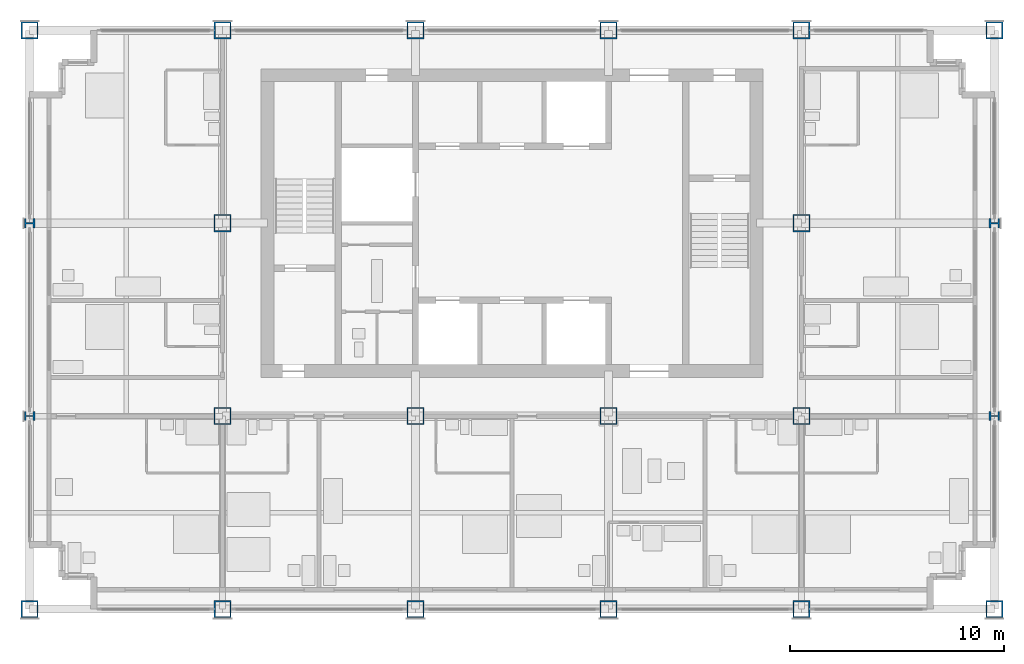
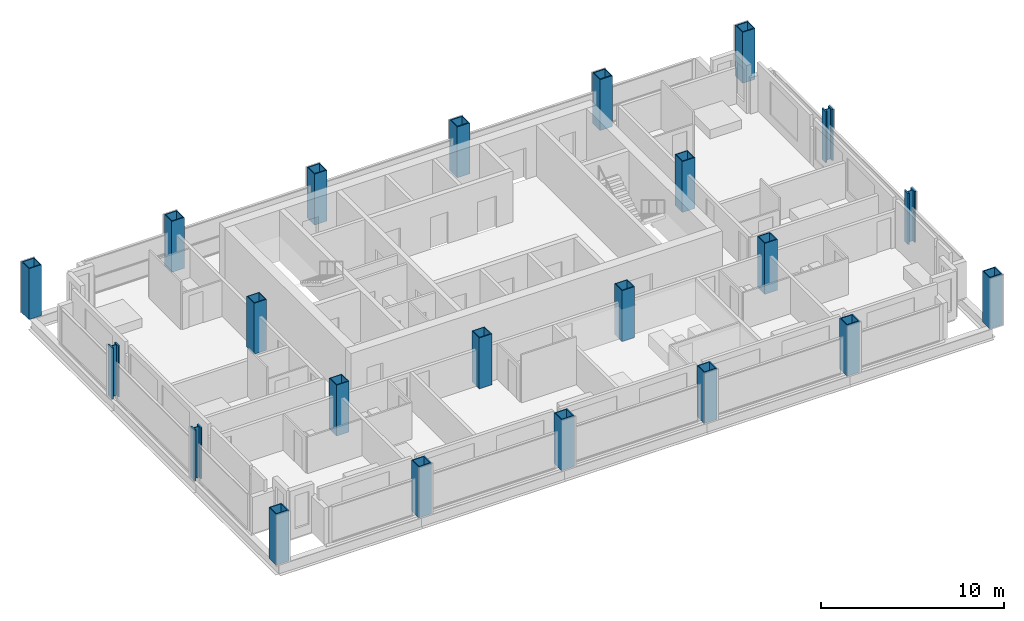
# One storey, part 1 of 13: 22 columns.
"""IFC4 building model written with IfcOpenShell, lengths in metres."""

from ifc_helpers import new_model, si_unit, direction, frame, origin, origin_2d, place, context, subcontext, project, spatial, hollow_rectangle, i_section, extrude, material, material_profile, profile_set, type_object, element, save


model = new_model("IFC4")

# Units and contexts
model_context = context("Model", 3, precision=1e-05, world=origin(), true_north=direction((0.0, 1.0)))
body_context = subcontext(model_context, "Body", "Model", "MODEL_VIEW")
ifc_project = project(units=[si_unit("LENGTHUNIT", "METRE"), si_unit("AREAUNIT", "SQUARE_METRE"), si_unit("VOLUMEUNIT", "CUBIC_METRE"), si_unit("PLANEANGLEUNIT", "RADIAN"), si_unit("MASSUNIT", "GRAM", prefix="KILO")], contexts=[model_context])

# Site, building, storey
site_placement = place(None, origin())
site = spatial("IfcSite", under=ifc_project, at=site_placement, CompositionType="ELEMENT")
building_placement = place(site_placement, origin())
building = spatial("IfcBuilding", under=site, at=building_placement, Name="Loomwork Tower", CompositionType="ELEMENT")
storey_placement = place(building_placement, frame((0.0, 0.0, 204.60009765625)))
storey = spatial("IfcBuildingStorey", under=building, at=storey_placement, Name="L56", CompositionType="ELEMENT", Elevation=204.60009765625)

# Columns
ifc_material_1 = material(Name="Steel ASTM A572 Grade 50 plate", Category="steel")
ifc_material_profile_1 = material_profile(ifc_material_1, hollow_rectangle(XDim=0.800048828125, YDim=0.800048828125, WallThickness=0.06005859375, at=origin_2d()), Name="BOX800x60")
ifc_profile_set_1 = profile_set([ifc_material_profile_1], Name="Steel ASTM A572 Grade 50 plate")
column_type_1 = type_object("IfcColumnType", Name="EXOSKELETON PIER BOX800x60", PredefinedType="COLUMN", material=ifc_profile_set_1)
for number, where, z_axis, x_axis, name in (
    (1, (0.0, 0.0, 0.0), (0.0, 0.0, 1.0), (1.0, 0.0, 0.0), "Exoskeleton Pier D/2 L56"),
    (2, (0.0, 27.0, 0.0), (0.0, 0.0, 1.0), (0.0, 1.0, 0.0), "Exoskeleton Pier G/2 L56"),
    (3, (9.0, 0.0, 0.0), (0.0, 0.0, 1.0), (1.0, 0.0, 0.0), "Exoskeleton Pier D/3 L56"),
    (4, (9.0, 27.0, 0.0), (0.0, 0.0, 1.0), (1.0, 0.0, 0.0), "Exoskeleton Pier G/3 L56"),
    (5, (18.0, 0.0, 0.0), (0.0, 0.0, 1.0), (1.0, 0.0, 0.0), "Exoskeleton Pier D/4 L56"),
    (6, (18.0, 27.0, 0.0), (0.0, 0.0, 1.0), (1.0, 0.0, 0.0), "Exoskeleton Pier G/4 L56"),
    (7, (27.0, 0.0, 0.0), (0.0, 0.0, 1.0), (1.0, 0.0, 0.0), "Exoskeleton Pier D/5 L56"),
    (8, (27.0, 27.0, 0.0), (0.0, 0.0, 1.0), (1.0, 0.0, 0.0), "Exoskeleton Pier G/5 L56"),
    (9, (36.0, 0.0, 0.0), (0.0, 0.0, 1.0), (1.0, 0.0, 0.0), "Exoskeleton Pier D/6 L56"),
    (10, (36.0, 27.0, 0.0), (0.0, 0.0, 1.0), (1.0, 0.0, 0.0), "Exoskeleton Pier G/6 L56"),
    (11, (45.0, 0.0, 0.0), (0.0, 0.0, 1.0), (1.0, 0.0, 0.0), "Exoskeleton Pier D/7 L56"),
    (12, (45.0, 27.0, 0.0), (0.0, 0.0, 1.0), (0.0, 1.0, 0.0), "Exoskeleton Pier G/7 L56"),
):
    element("IfcColumn", number, at=place(storey_placement, frame(where, z_axis=z_axis, x_axis=x_axis)), inside=storey, type_object=column_type_1, Name=name, PredefinedType="COLUMN", context=body_context, shape_type="SweptSolid", body=[
        extrude(hollow_rectangle(XDim=0.800048828125, YDim=0.800048828125, WallThickness=0.06005859375, at=origin_2d()), origin(), (0.0, 0.0, 1.0), 3.39990234375),
    ])
ifc_material_2 = material(Name="Steel ASTM A992", Category="steel")
ifc_material_profile_2 = material_profile(ifc_material_2, i_section(OverallWidth=0.4267578125, OverallDepth=0.482666015625, WebThickness=0.05126953125, FlangeThickness=0.08154296875, at=origin_2d()), Name="W14x455")
ifc_profile_set_2 = profile_set([ifc_material_profile_2], Name="Steel ASTM A992")
column_type_2 = type_object("IfcColumnType", Name="EXOSKELETON PIER W14x455", PredefinedType="COLUMN", material=ifc_profile_set_2)
for number, where, z_axis, x_axis, name in (
    (13, (0.0, 9.0, 0.0), (0.0, 0.0, 1.0), (0.0, 1.0, 0.0), "Exoskeleton Pier E/2 L56"),
    (14, (0.0, 18.0, 0.0), (0.0, 0.0, 1.0), (0.0, 1.0, 0.0), "Exoskeleton Pier F/2 L56"),
    (15, (45.0, 9.0, 0.0), (0.0, 0.0, 1.0), (0.0, 1.0, 0.0), "Exoskeleton Pier E/7 L56"),
    (16, (45.0, 18.0, 0.0), (0.0, 0.0, 1.0), (0.0, 1.0, 0.0), "Exoskeleton Pier F/7 L56"),
):
    element("IfcColumn", number, at=place(storey_placement, frame(where, z_axis=z_axis, x_axis=x_axis)), inside=storey, type_object=column_type_2, Name=name, PredefinedType="COLUMN", context=body_context, shape_type="SweptSolid", body=[
        extrude(i_section(OverallWidth=0.4267578125, OverallDepth=0.482666015625, WebThickness=0.05126953125, FlangeThickness=0.08154296875, at=origin_2d()), origin(), (0.0, 0.0, 1.0), 3.39990234375),
    ])
ifc_material_3 = material(Name="Steel ASTM A572 Grade 50 plate", Category="steel")
ifc_material_profile_3 = material_profile(ifc_material_3, hollow_rectangle(XDim=0.800048828125, YDim=0.800048828125, WallThickness=0.050048828125, at=origin_2d()), Name="BOX800x50")
ifc_profile_set_3 = profile_set([ifc_material_profile_3], Name="Steel ASTM A572 Grade 50 plate")
column_type_3 = type_object("IfcColumnType", Name="TOWER COLUMN BOX800x50", PredefinedType="COLUMN", material=ifc_profile_set_3)
for number, where, z_axis, x_axis, name in (
    (17, (9.0, 9.0, 0.0), (0.0, 0.0, 1.0), (1.0, 0.0, 0.0), "Tower Column E/3 L56"),
    (18, (9.0, 18.0, 0.0), (0.0, 0.0, 1.0), (1.0, 0.0, 0.0), "Tower Column F/3 L56"),
    (19, (18.0, 9.0, 0.0), (0.0, 0.0, 1.0), (1.0, 0.0, 0.0), "Tower Column E/4 L56"),
    (20, (27.0, 9.0, 0.0), (0.0, 0.0, 1.0), (1.0, 0.0, 0.0), "Tower Column E/5 L56"),
    (21, (36.0, 9.0, 0.0), (0.0, 0.0, 1.0), (0.0, 1.0, 0.0), "Tower Column E/6 L56"),
    (22, (36.0, 18.0, 0.0), (0.0, 0.0, 1.0), (0.0, 1.0, 0.0), "Tower Column F/6 L56"),
):
    element("IfcColumn", number, at=place(storey_placement, frame(where, z_axis=z_axis, x_axis=x_axis)), inside=storey, type_object=column_type_3, Name=name, PredefinedType="COLUMN", context=body_context, shape_type="SweptSolid", body=[
        extrude(hollow_rectangle(XDim=0.800048828125, YDim=0.800048828125, WallThickness=0.050048828125, at=origin_2d()), origin(), (0.0, 0.0, 1.0), 3.39990234375),
    ])

save(model, "model.ifc")
